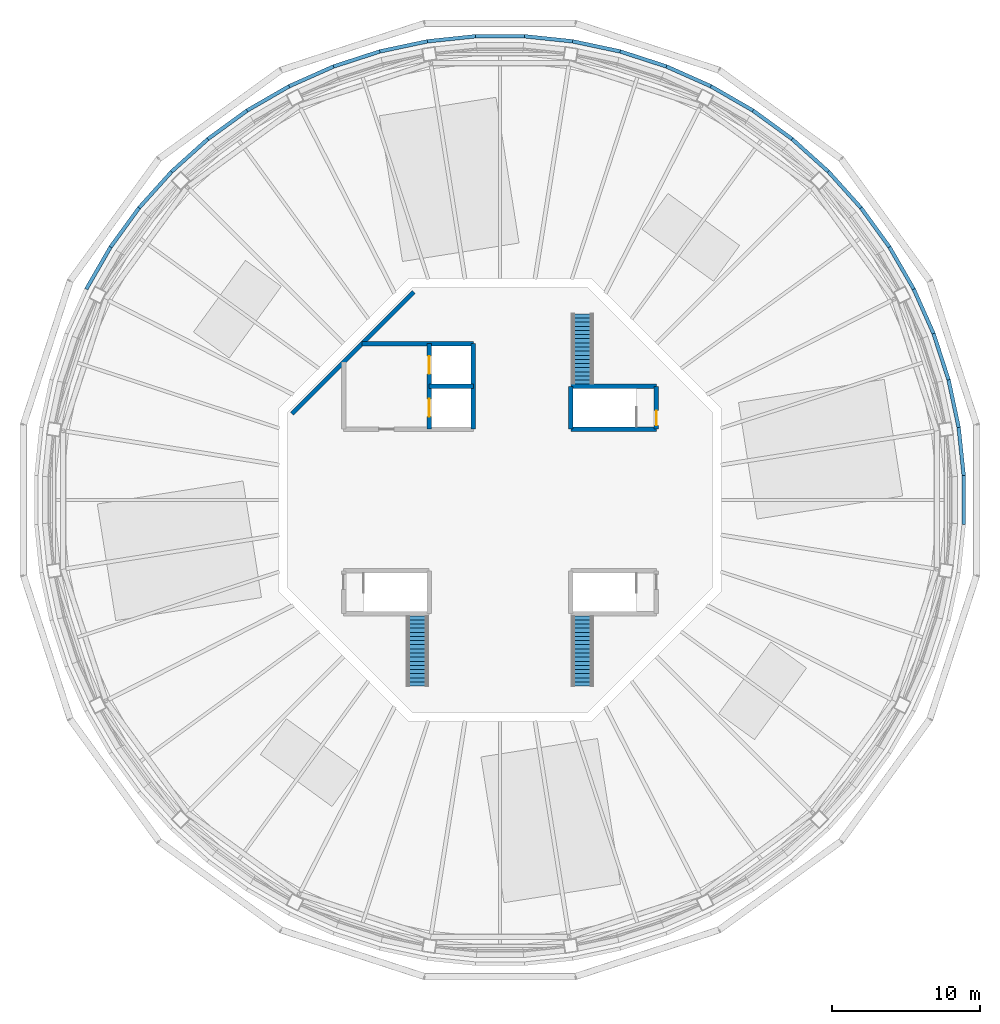
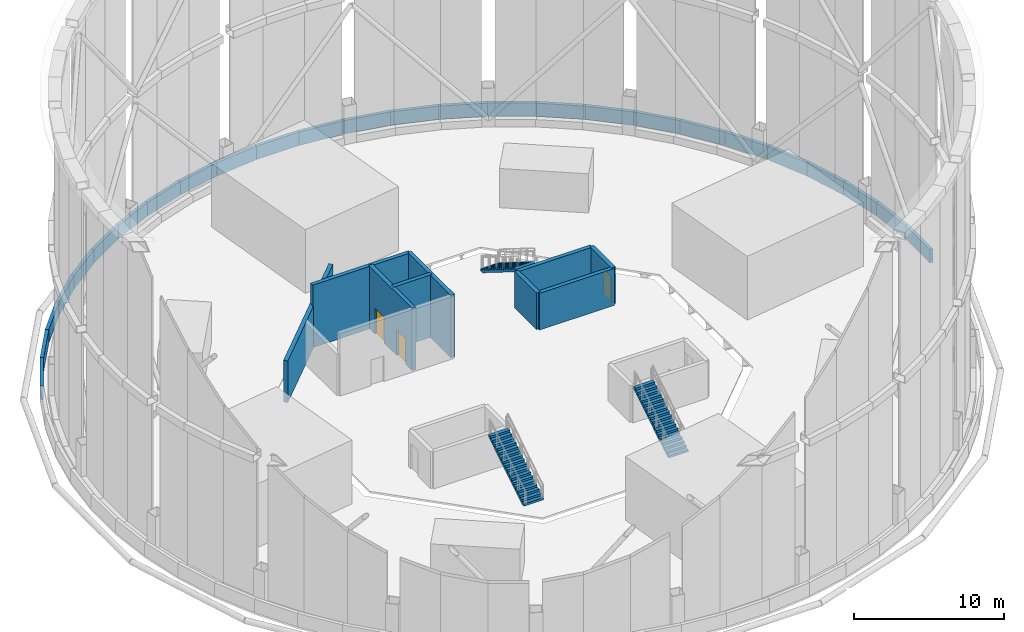
# One storey, part 7 of 11: 35 walls, 3 doors, 3 stair flights, 3 openings, 3 elements without a shape of their own.
"""IFC4 building model written with IfcOpenShell, lengths in metres."""

from ifc_helpers import new_model, si_unit, direction, frame, frame_2d, origin, place, context, subcontext, project, spatial, polyline, rectangle, outline, extrude, material, layer, layer_set, type_object, element, fill, aggregate, save


model = new_model("IFC4")

# Units and contexts
model_context = context("Model", 3, precision=1e-05, world=origin(), true_north=direction((0.0, 1.0)))
body_context = subcontext(model_context, "Body", "Model", "MODEL_VIEW")
ifc_project = project(units=[si_unit("LENGTHUNIT", "METRE"), si_unit("AREAUNIT", "SQUARE_METRE"), si_unit("VOLUMEUNIT", "CUBIC_METRE"), si_unit("PLANEANGLEUNIT", "RADIAN"), si_unit("MASSUNIT", "GRAM", prefix="KILO")], contexts=[model_context])

# Site, building, storey
site_placement = place(None, origin())
site = spatial("IfcSite", under=ifc_project, at=site_placement, CompositionType="ELEMENT")
building_placement = place(site_placement, origin())
building = spatial("IfcBuilding", under=site, at=building_placement, Name="Entoto Ring Tower", CompositionType="ELEMENT")
storey_placement = place(building_placement, frame((0.0, 0.0, 415.0)))
storey = spatial("IfcBuildingStorey", under=building, at=storey_placement, Name="ROOF", CompositionType="ELEMENT", Elevation=415.0)

# Wall
ifc_material_1 = material(Name="Concrete C40/50", Category="concrete")
ifc_layer_1 = layer(ifc_material_1, 0.300048828125)
ifc_layer_set_1 = layer_set([ifc_layer_1], Name="Concrete C40/50")
wall_type_1 = type_object("IfcWallType", Name="Head-house wall 300 mm reinforced concrete", PredefinedType="SOLIDWALL", material=ifc_layer_set_1)
wall_1_placement = place(storey_placement, frame((94.800048828125, 84.800048828125, 0.0), z_axis=(0.0, 0.0, 1.0), x_axis=(1.0, 0.0, 0.0)))
element("IfcWall", 1, at=wall_1_placement, inside=storey, type_object=wall_type_1, Name="wall-ROOF-ST1-1", PredefinedType="SOLIDWALL", context=body_context, shape_type="SweptSolid", body=[
    extrude(rectangle(XDim=5.800048828125, YDim=0.300048828125, at=frame_2d((2.89990234375, 0.0))), origin(), (0.0, 0.0, 1.0), 3.0),
])

# Wall, opening, door
wall_2_placement = place(storey_placement, frame((100.60009765625, 84.800048828125, 0.0), z_axis=(0.0, 0.0, 1.0), x_axis=(0.0, 1.0, 0.0)))
wall_2 = element("IfcWall", 2, at=wall_2_placement, inside=storey, type_object=wall_type_1, Name="wall-ROOF-ST1-2", PredefinedType="SOLIDWALL", context=body_context, shape_type="SweptSolid", body=[
    extrude(rectangle(XDim=2.89990234375, YDim=0.300048828125, at=frame_2d((1.449951171875, 0.0))), origin(), (0.0, 0.0, 1.0), 3.0),
])
opening_1_placement = place(wall_2_placement, frame((0.25, 0.0, 0.0)))
opening_1 = element("IfcOpeningElement", 3, at=opening_1_placement, cuts=wall_2, Name="Opening K-37", PredefinedType="OPENING", context=body_context, shape_type="SweptSolid", body=[
    extrude(rectangle(XDim=1.0, YDim=2.10009765625, at=frame_2d((0.5, 1.050048828125))), frame((0.0, 0.16015625, 0.0), z_axis=(0.0, -1.0, 0.0), x_axis=(1.0, 0.0, 0.0)), (0.0, 0.0, 1.0), 0.320068359375),
])
ifc_material_2 = material(Name="Steel door leaf, fire rated", Category="steel")
ifc_layer_2 = layer(ifc_material_2, 0.050048828125)
ifc_layer_set_2 = layer_set([ifc_layer_2], Name="Steel door leaf, fire rated")
door_type_1 = type_object("IfcDoorType", Name="Roof door FD60 1000 x 2100 single leaf, external", OperationType="NOTDEFINED", PredefinedType="DOOR", material=ifc_layer_set_2)
door_1_placement = place(opening_1_placement, frame((1.0, 0.0, 0.0), z_axis=(0.0, 0.0, 1.0), x_axis=(-1.0, 0.0, 0.0)))
door_1 = element("IfcDoor", 4, at=door_1_placement, inside=storey, type_object=door_type_1, Name="Roof door ST1", OperationType="SINGLE_SWING_LEFT", OverallHeight=2.10009765625, OverallWidth=1.0, PredefinedType="DOOR", context=body_context, shape_type="SweptSolid", body=[
    extrude(rectangle(XDim=1.0, YDim=2.10009765625, at=frame_2d((0.5, 1.050048828125))), frame((0.0, 0.02490234375, 0.0), z_axis=(0.0, -1.0, 0.0), x_axis=(1.0, 0.0, 0.0)), (0.0, 0.0, 1.0), 0.050048828125),
])
fill(opening_1, door_1)

# Walls
wall_3_placement = place(storey_placement, frame((100.60009765625, 87.699951171875, 0.0), z_axis=(0.0, 0.0, 1.0), x_axis=(-1.0, 0.0, 0.0)))
element("IfcWall", 5, at=wall_3_placement, inside=storey, type_object=wall_type_1, Name="wall-ROOF-ST1-3", PredefinedType="SOLIDWALL", context=body_context, shape_type="SweptSolid", body=[
    extrude(rectangle(XDim=5.800048828125, YDim=0.300048828125, at=frame_2d((2.89990234375, 0.0))), origin(), (0.0, 0.0, 1.0), 3.0),
])
wall_4_placement = place(storey_placement, frame((94.800048828125, 87.699951171875, 0.0), z_axis=(0.0, 0.0, 1.0), x_axis=(0.0, -1.0, 0.0)))
element("IfcWall", 6, at=wall_4_placement, inside=storey, type_object=wall_type_1, Name="wall-ROOF-ST1-4", PredefinedType="SOLIDWALL", context=body_context, shape_type="SweptSolid", body=[
    extrude(rectangle(XDim=2.89990234375, YDim=0.300048828125, at=frame_2d((1.449951171875, 0.0))), origin(), (0.0, 0.0, 1.0), 3.0),
])
ifc_material_3 = material(Name="Concrete C40/50", Category="concrete")
ifc_layer_3 = layer(ifc_material_3, 0.300048828125)
ifc_layer_set_3 = layer_set([ifc_layer_3], Name="Concrete C40/50")
wall_type_2 = type_object("IfcWallType", Name="Lift lobby head-house wall 300 mm reinforced concrete", PredefinedType="SOLIDWALL", material=ifc_layer_set_3)
wall_5_placement = place(storey_placement, frame((75.89990234375, 85.84033203125, 0.0), z_axis=(0.0, 0.0, 1.0), x_axis=(0.707106781187, 0.707106781187, 0.0)))
element("IfcWall", 7, at=wall_5_placement, inside=storey, type_object=wall_type_2, Name="wall-ROOF-RL-04", PredefinedType="SOLIDWALL", context=body_context, shape_type="SweptSolid", body=[
    extrude(rectangle(XDim=11.68115234375, YDim=0.300048828125, at=frame_2d((5.840576171875, 0.0))), origin(), (0.0, 0.0, 1.0), 3.39990234375),
])
ifc_material_4 = material(Name="Concrete C40/50", Category="concrete")
ifc_layer_4 = layer(ifc_material_4, 0.300048828125)
ifc_layer_set_4 = layer_set([ifc_layer_4], Name="Concrete C40/50")
wall_type_3 = type_object("IfcWallType", Name="Lift shaft head-house wall 300 mm reinforced concrete", PredefinedType="SOLIDWALL", material=ifc_layer_set_4)
wall_6_placement = place(storey_placement, frame((88.199951171875, 84.800048828125, 0.0), z_axis=(0.0, 0.0, 1.0), x_axis=(0.0, 1.0, 0.0)))
element("IfcWall", 8, at=wall_6_placement, inside=storey, type_object=wall_type_3, Name="wall-ROOF-RL-01", PredefinedType="SOLIDWALL", context=body_context, shape_type="SweptSolid", body=[
    extrude(rectangle(XDim=5.800048828125, YDim=0.300048828125, at=frame_2d((2.89990234375, 0.0))), origin(), (0.0, 0.0, 1.0), 5.10009765625),
])

# Wall, openings, doors
wall_7_placement = place(storey_placement, frame((85.199951171875, 84.800048828125, 0.0), z_axis=(0.0, 0.0, 1.0), x_axis=(0.0, 1.0, 0.0)))
wall_7 = element("IfcWall", 9, at=wall_7_placement, inside=storey, type_object=wall_type_3, Name="wall-ROOF-RL-02", PredefinedType="SOLIDWALL", context=body_context, shape_type="SweptSolid", body=[
    extrude(rectangle(XDim=5.800048828125, YDim=0.300048828125, at=frame_2d((2.89990234375, 0.0))), origin(), (0.0, 0.0, 1.0), 5.10009765625),
])
opening_2_placement = place(wall_7_placement, frame((0.85009765625, 0.0, 0.0)))
opening_2 = element("IfcOpeningElement", 10, at=opening_2_placement, cuts=wall_7, Name="Opening LD", PredefinedType="OPENING", context=body_context, shape_type="SweptSolid", body=[
    extrude(rectangle(XDim=1.199951171875, YDim=2.10009765625, at=frame_2d((0.60009765625, 1.050048828125))), frame((0.0, 0.16015625, 0.0), z_axis=(0.0, -1.0, 0.0), x_axis=(1.0, 0.0, 0.0)), (0.0, 0.0, 1.0), 0.320068359375),
])
opening_3_placement = place(wall_7_placement, frame((3.75, 0.0, 0.0)))
opening_3 = element("IfcOpeningElement", 11, at=opening_3_placement, cuts=wall_7, Name="Opening LD", PredefinedType="OPENING", context=body_context, shape_type="SweptSolid", body=[
    extrude(rectangle(XDim=1.199951171875, YDim=2.10009765625, at=frame_2d((0.60009765625, 1.050048828125))), frame((0.0, 0.16015625, 0.0), z_axis=(0.0, -1.0, 0.0), x_axis=(1.0, 0.0, 0.0)), (0.0, 0.0, 1.0), 0.320068359375),
])
ifc_material_5 = material(Name="Steel and glass door leaf", Category="steel")
ifc_layer_5 = layer(ifc_material_5, 0.050048828125)
ifc_layer_set_5 = layer_set([ifc_layer_5], Name="Steel and glass door leaf")
door_type_2 = type_object("IfcDoorType", Name="Landing door 1200 x 2100 sliding", OperationType="DOUBLE_DOOR_SLIDING", PredefinedType="DOOR", material=ifc_layer_set_5)
door_2_placement = place(opening_2_placement, origin())
door_2 = element("IfcDoor", 12, at=door_2_placement, inside=storey, type_object=door_type_2, Name="Landing door FF1", OperationType="SLIDING_TO_RIGHT", OverallHeight=2.10009765625, OverallWidth=1.199951171875, PredefinedType="DOOR", context=body_context, shape_type="SweptSolid", body=[
    extrude(rectangle(XDim=1.199951171875, YDim=2.10009765625, at=frame_2d((0.60009765625, 1.050048828125))), frame((0.0, 0.02490234375, 0.0), z_axis=(0.0, -1.0, 0.0), x_axis=(1.0, 0.0, 0.0)), (0.0, 0.0, 1.0), 0.050048828125),
])
fill(opening_2, door_2)
door_3_placement = place(opening_3_placement, origin())
door_3 = element("IfcDoor", 13, at=door_3_placement, inside=storey, type_object=door_type_2, Name="Landing door FF2", OperationType="SLIDING_TO_RIGHT", OverallHeight=2.10009765625, OverallWidth=1.199951171875, PredefinedType="DOOR", context=body_context, shape_type="SweptSolid", body=[
    extrude(rectangle(XDim=1.199951171875, YDim=2.10009765625, at=frame_2d((0.60009765625, 1.050048828125))), frame((0.0, 0.02490234375, 0.0), z_axis=(0.0, -1.0, 0.0), x_axis=(1.0, 0.0, 0.0)), (0.0, 0.0, 1.0), 0.050048828125),
])
fill(opening_3, door_3)

# Walls
wall_8_placement = place(storey_placement, frame((85.199951171875, 87.699951171875, 0.0), z_axis=(0.0, 0.0, 1.0), x_axis=(1.0, 0.0, 0.0)))
element("IfcWall", 14, at=wall_8_placement, inside=storey, type_object=wall_type_3, Name="wall-ROOF-RL-06", PredefinedType="SOLIDWALL", context=body_context, shape_type="SweptSolid", body=[
    extrude(rectangle(XDim=3.0, YDim=0.300048828125, at=frame_2d((1.5, 0.0))), origin(), (0.0, 0.0, 1.0), 5.10009765625),
])
wall_9_placement = place(storey_placement, frame((80.65966796875, 90.60009765625, 0.0), z_axis=(0.0, 0.0, 1.0), x_axis=(1.0, 0.0, 0.0)))
element("IfcWall", 15, at=wall_9_placement, inside=storey, type_object=wall_type_3, Name="wall-ROOF-RL-07", PredefinedType="SOLIDWALL", context=body_context, shape_type="SweptSolid", body=[
    extrude(rectangle(XDim=7.540283203125, YDim=0.300048828125, at=frame_2d((3.77001953125, 0.0))), origin(), (0.0, 0.0, 1.0), 5.10009765625),
])
ifc_material_6 = material(Name="Concrete C40/50", Category="concrete")
ifc_layer_6 = layer(ifc_material_6, 0.25)
ifc_layer_set_6 = layer_set([ifc_layer_6], Name="Concrete C40/50")
wall_type_4 = type_object("IfcWallType", Name="Roof parapet 250 mm", PredefinedType="PARAPET", material=ifc_layer_set_6)
for number, where, z_axis, x_axis, name in (
    (16, (121.08740234375, 84.923828125, 0.0), (0.0, 0.0, 1.0), (-0.207944727758, 0.978140577932, 0.0), "PARAPET 00"),
    (17, (120.40234375, 88.146240234375, 0.0), (0.0, 0.0, 1.0), (-0.309015695272, 0.951056938398, 0.0), "PARAPET 01"),
):
    element("IfcWall", number, at=place(storey_placement, frame(where, z_axis=z_axis, x_axis=x_axis)), inside=storey, type_object=wall_type_4, Name=name, PredefinedType="PARAPET", context=body_context, shape_type="SweptSolid", body=[
        extrude(outline(polyline([(-0.006591796875, -0.125), (3.301025390625, -0.125), (3.287841796875, 0.125), (0.006591796875, 0.125), (-0.006591796875, -0.125)])), origin(), (0.0, 0.0, 1.0), 1.10009765625),
    ])
wall_10_placement = place(storey_placement, frame((119.38427734375, 91.279541015625, 0.0), z_axis=(0.0, 0.0, 1.0), x_axis=(-0.406750296095, 0.913539378805, 0.0)))
element("IfcWall", 18, at=wall_10_placement, inside=storey, type_object=wall_type_4, Name="PARAPET 02", PredefinedType="PARAPET", context=body_context, shape_type="SweptSolid", body=[
    extrude(outline(polyline([(-0.006591796875, -0.125), (3.30126953125, -0.125), (3.2880859375, 0.125), (0.006591796875, 0.125), (-0.006591796875, -0.125)])), origin(), (0.0, 0.0, 1.0), 1.10009765625),
])
wall_11_placement = place(storey_placement, frame((118.044189453125, 94.289306640625, 0.0), z_axis=(0.0, 0.0, 1.0), x_axis=(-0.5000047107, 0.866022684043, 0.0)))
element("IfcWall", 19, at=wall_11_placement, inside=storey, type_object=wall_type_4, Name="PARAPET 03", PredefinedType="PARAPET", context=body_context, shape_type="SweptSolid", body=[
    extrude(outline(polyline([(-0.006591796875, -0.125), (3.301025390625, -0.125), (3.287841796875, 0.125), (0.006591796875, 0.125), (-0.006591796875, -0.125)])), origin(), (0.0, 0.0, 1.0), 1.10009765625),
])
wall_12_placement = place(storey_placement, frame((116.39697265625, 97.142333984375, 0.0), z_axis=(0.0, 0.0, 1.0), x_axis=(-0.58776627327, 0.809030783102, 0.0)))
element("IfcWall", 20, at=wall_12_placement, inside=storey, type_object=wall_type_4, Name="PARAPET 04", PredefinedType="PARAPET", context=body_context, shape_type="SweptSolid", body=[
    extrude(outline(polyline([(-0.006591796875, -0.125), (3.30126953125, -0.125), (3.2880859375, 0.125), (0.006591796875, 0.125), (-0.006591796875, -0.125)])), origin(), (0.0, 0.0, 1.0), 1.10009765625),
])
for number, where, z_axis, x_axis, name in (
    (21, (114.46044921875, 99.807861328125, 0.0), (0.0, 0.0, 1.0), (-0.669120302631, 0.743154102866, 0.0), "PARAPET 05"),
    (22, (112.256103515625, 102.256103515625, 0.0), (0.0, 0.0, 1.0), (-0.743154102866, 0.669120302631, 0.0), "PARAPET 06"),
):
    element("IfcWall", number, at=place(storey_placement, frame(where, z_axis=z_axis, x_axis=x_axis)), inside=storey, type_object=wall_type_4, Name=name, PredefinedType="PARAPET", context=body_context, shape_type="SweptSolid", body=[
        extrude(outline(polyline([(-0.006591796875, -0.125), (3.301025390625, -0.125), (3.287841796875, 0.125), (0.006591796875, 0.125), (-0.006591796875, -0.125)])), origin(), (0.0, 0.0, 1.0), 1.10009765625),
    ])
wall_13_placement = place(storey_placement, frame((109.807861328125, 104.46044921875, 0.0), z_axis=(0.0, 0.0, 1.0), x_axis=(-0.809030783102, 0.58776627327, 0.0)))
element("IfcWall", 23, at=wall_13_placement, inside=storey, type_object=wall_type_4, Name="PARAPET 07", PredefinedType="PARAPET", context=body_context, shape_type="SweptSolid", body=[
    extrude(outline(polyline([(-0.006591796875, -0.125), (3.30126953125, -0.125), (3.2880859375, 0.125), (0.006591796875, 0.125), (-0.006591796875, -0.125)])), origin(), (0.0, 0.0, 1.0), 1.10009765625),
])
wall_14_placement = place(storey_placement, frame((107.142333984375, 106.39697265625, 0.0), z_axis=(0.0, 0.0, 1.0), x_axis=(-0.866022684043, 0.5000047107, 0.0)))
element("IfcWall", 24, at=wall_14_placement, inside=storey, type_object=wall_type_4, Name="PARAPET 08", PredefinedType="PARAPET", context=body_context, shape_type="SweptSolid", body=[
    extrude(outline(polyline([(-0.006591796875, -0.125), (3.301025390625, -0.125), (3.287841796875, 0.125), (0.006591796875, 0.125), (-0.006591796875, -0.125)])), origin(), (0.0, 0.0, 1.0), 1.10009765625),
])
wall_15_placement = place(storey_placement, frame((104.289306640625, 108.044189453125, 0.0), z_axis=(0.0, 0.0, 1.0), x_axis=(-0.913539378805, 0.406750296095, 0.0)))
element("IfcWall", 25, at=wall_15_placement, inside=storey, type_object=wall_type_4, Name="PARAPET 09", PredefinedType="PARAPET", context=body_context, shape_type="SweptSolid", body=[
    extrude(outline(polyline([(-0.006591796875, -0.125), (3.30126953125, -0.125), (3.2880859375, 0.125), (0.006591796875, 0.125), (-0.006591796875, -0.125)])), origin(), (0.0, 0.0, 1.0), 1.10009765625),
])
for number, where, z_axis, x_axis, name in (
    (26, (101.279541015625, 109.38427734375, 0.0), (0.0, 0.0, 1.0), (-0.951056938398, 0.309015695272, 0.0), "PARAPET 10"),
    (27, (98.146240234375, 110.40234375, 0.0), (0.0, 0.0, 1.0), (-0.978140577932, 0.207944727758, 0.0), "PARAPET 11"),
):
    element("IfcWall", number, at=place(storey_placement, frame(where, z_axis=z_axis, x_axis=x_axis)), inside=storey, type_object=wall_type_4, Name=name, PredefinedType="PARAPET", context=body_context, shape_type="SweptSolid", body=[
        extrude(outline(polyline([(-0.006591796875, -0.125), (3.301025390625, -0.125), (3.287841796875, 0.125), (0.006591796875, 0.125), (-0.006591796875, -0.125)])), origin(), (0.0, 0.0, 1.0), 1.10009765625),
    ])
wall_16_placement = place(storey_placement, frame((94.923828125, 111.08740234375, 0.0), z_axis=(0.0, 0.0, 1.0), x_axis=(-0.994526546764, 0.104484198714, 0.0)))
element("IfcWall", 28, at=wall_16_placement, inside=storey, type_object=wall_type_4, Name="PARAPET 12", PredefinedType="PARAPET", context=body_context, shape_type="SweptSolid", body=[
    extrude(outline(polyline([(-0.006591796875, -0.125), (3.30126953125, -0.125), (3.2880859375, 0.125), (0.006591796875, 0.125), (-0.006591796875, -0.125)])), origin(), (0.0, 0.0, 1.0), 1.10009765625),
])
wall_17_placement = place(storey_placement, frame((91.647216796875, 111.431640625, 0.0), z_axis=(0.0, 0.0, 1.0), x_axis=(-1.0, 0.0, 0.0)))
element("IfcWall", 29, at=wall_17_placement, inside=storey, type_object=wall_type_4, Name="PARAPET 13", PredefinedType="PARAPET", context=body_context, shape_type="SweptSolid", body=[
    extrude(outline(polyline([(-0.006591796875, -0.125), (3.301025390625, -0.125), (3.287841796875, 0.125), (0.006591796875, 0.125), (-0.006591796875, -0.125)])), origin(), (0.0, 0.0, 1.0), 1.10009765625),
])
wall_18_placement = place(storey_placement, frame((88.352783203125, 111.431640625, 0.0), z_axis=(0.0, 0.0, 1.0), x_axis=(-0.994526546764, -0.104484198714, 0.0)))
element("IfcWall", 30, at=wall_18_placement, inside=storey, type_object=wall_type_4, Name="PARAPET 14", PredefinedType="PARAPET", context=body_context, shape_type="SweptSolid", body=[
    extrude(outline(polyline([(-0.006591796875, -0.125), (3.30126953125, -0.125), (3.2880859375, 0.125), (0.006591796875, 0.125), (-0.006591796875, -0.125)])), origin(), (0.0, 0.0, 1.0), 1.10009765625),
])
for number, where, z_axis, x_axis, name in (
    (31, (85.076171875, 111.08740234375, 0.0), (0.0, 0.0, 1.0), (-0.978140577932, -0.207944727758, 0.0), "PARAPET 15"),
    (32, (81.853759765625, 110.40234375, 0.0), (0.0, 0.0, 1.0), (-0.951056938398, -0.309015695272, 0.0), "PARAPET 16"),
):
    element("IfcWall", number, at=place(storey_placement, frame(where, z_axis=z_axis, x_axis=x_axis)), inside=storey, type_object=wall_type_4, Name=name, PredefinedType="PARAPET", context=body_context, shape_type="SweptSolid", body=[
        extrude(outline(polyline([(-0.006591796875, -0.125), (3.301025390625, -0.125), (3.287841796875, 0.125), (0.006591796875, 0.125), (-0.006591796875, -0.125)])), origin(), (0.0, 0.0, 1.0), 1.10009765625),
    ])
wall_19_placement = place(storey_placement, frame((78.720458984375, 109.38427734375, 0.0), z_axis=(0.0, 0.0, 1.0), x_axis=(-0.913539378805, -0.406750296095, 0.0)))
element("IfcWall", 33, at=wall_19_placement, inside=storey, type_object=wall_type_4, Name="PARAPET 17", PredefinedType="PARAPET", context=body_context, shape_type="SweptSolid", body=[
    extrude(outline(polyline([(-0.006591796875, -0.125), (3.30126953125, -0.125), (3.2880859375, 0.125), (0.006591796875, 0.125), (-0.006591796875, -0.125)])), origin(), (0.0, 0.0, 1.0), 1.10009765625),
])
wall_20_placement = place(storey_placement, frame((75.710693359375, 108.044189453125, 0.0), z_axis=(0.0, 0.0, 1.0), x_axis=(-0.866022684043, -0.5000047107, 0.0)))
element("IfcWall", 34, at=wall_20_placement, inside=storey, type_object=wall_type_4, Name="PARAPET 18", PredefinedType="PARAPET", context=body_context, shape_type="SweptSolid", body=[
    extrude(outline(polyline([(-0.006591796875, -0.125), (3.301025390625, -0.125), (3.287841796875, 0.125), (0.006591796875, 0.125), (-0.006591796875, -0.125)])), origin(), (0.0, 0.0, 1.0), 1.10009765625),
])
wall_21_placement = place(storey_placement, frame((72.857666015625, 106.39697265625, 0.0), z_axis=(0.0, 0.0, 1.0), x_axis=(-0.809030783102, -0.58776627327, 0.0)))
element("IfcWall", 35, at=wall_21_placement, inside=storey, type_object=wall_type_4, Name="PARAPET 19", PredefinedType="PARAPET", context=body_context, shape_type="SweptSolid", body=[
    extrude(outline(polyline([(-0.006591796875, -0.125), (3.30126953125, -0.125), (3.2880859375, 0.125), (0.006591796875, 0.125), (-0.006591796875, -0.125)])), origin(), (0.0, 0.0, 1.0), 1.10009765625),
])
for number, where, z_axis, x_axis, name in (
    (36, (70.192138671875, 104.46044921875, 0.0), (0.0, 0.0, 1.0), (-0.743154102866, -0.669120302631, 0.0), "PARAPET 20"),
    (37, (67.743896484375, 102.256103515625, 0.0), (0.0, 0.0, 1.0), (-0.669120302631, -0.743154102866, 0.0), "PARAPET 21"),
):
    element("IfcWall", number, at=place(storey_placement, frame(where, z_axis=z_axis, x_axis=x_axis)), inside=storey, type_object=wall_type_4, Name=name, PredefinedType="PARAPET", context=body_context, shape_type="SweptSolid", body=[
        extrude(outline(polyline([(-0.006591796875, -0.125), (3.301025390625, -0.125), (3.287841796875, 0.125), (0.006591796875, 0.125), (-0.006591796875, -0.125)])), origin(), (0.0, 0.0, 1.0), 1.10009765625),
    ])
wall_22_placement = place(storey_placement, frame((65.53955078125, 99.807861328125, 0.0), z_axis=(0.0, 0.0, 1.0), x_axis=(-0.58776627327, -0.809030783102, 0.0)))
element("IfcWall", 38, at=wall_22_placement, inside=storey, type_object=wall_type_4, Name="PARAPET 22", PredefinedType="PARAPET", context=body_context, shape_type="SweptSolid", body=[
    extrude(outline(polyline([(-0.006591796875, -0.125), (3.30126953125, -0.125), (3.2880859375, 0.125), (0.006591796875, 0.125), (-0.006591796875, -0.125)])), origin(), (0.0, 0.0, 1.0), 1.10009765625),
])
for number, where, z_axis, x_axis, name in (
    (39, (63.60302734375, 97.142333984375, 0.0), (0.0, 0.0, 1.0), (-0.5000047107, -0.866022684043, 0.0), "PARAPET 23"),
    (40, (121.431640625, 78.352783203125, 0.0), (0.0, 0.0, 1.0), (0.0, 1.0, 0.0), "PARAPET 58"),
):
    element("IfcWall", number, at=place(storey_placement, frame(where, z_axis=z_axis, x_axis=x_axis)), inside=storey, type_object=wall_type_4, Name=name, PredefinedType="PARAPET", context=body_context, shape_type="SweptSolid", body=[
        extrude(outline(polyline([(-0.006591796875, -0.125), (3.301025390625, -0.125), (3.287841796875, 0.125), (0.006591796875, 0.125), (-0.006591796875, -0.125)])), origin(), (0.0, 0.0, 1.0), 1.10009765625),
    ])
wall_23_placement = place(storey_placement, frame((121.431640625, 81.647216796875, 0.0), z_axis=(0.0, 0.0, 1.0), x_axis=(-0.104484198714, 0.994526546764, 0.0)))
element("IfcWall", 41, at=wall_23_placement, inside=storey, type_object=wall_type_4, Name="PARAPET 59", PredefinedType="PARAPET", context=body_context, shape_type="SweptSolid", body=[
    extrude(outline(polyline([(-0.006591796875, -0.125), (3.30126953125, -0.125), (3.2880859375, 0.125), (0.006591796875, 0.125), (-0.006591796875, -0.125)])), origin(), (0.0, 0.0, 1.0), 1.10009765625),
])

# Stair, stair flight
ifc_material_7 = material(Name="Concrete C40/50", Category="concrete")
stair_type = type_object("IfcStairType", Name="Roof access stair 1500 mm reinforced concrete", PredefinedType="STRAIGHT_RUN_STAIR", material=ifc_material_7)
stair_1_placement = place(storey_placement, origin())
stair_1 = element("IfcStair", 42, at=stair_1_placement, inside=storey, type_object=stair_type, Name="Roof access stair 1", PredefinedType="STRAIGHT_RUN_STAIR")
ifc_material_8 = material(Name="Concrete C40/50", Category="concrete")
stair_flight_type = type_object("IfcStairFlightType", Name="Roof stair flight 1500 mm reinforced concrete", PredefinedType="STRAIGHT", material=ifc_material_8)
stair_flight_1_placement = place(storey_placement, frame((95.60009765625, 92.610107421875, 0.0), z_axis=(0.0, 0.0, 1.0), x_axis=(0.0, -1.0, 0.0)))
stair_flight_1 = element("IfcStairFlight", 43, at=stair_flight_1_placement, type_object=stair_flight_type, Name="RS1 flight 1", NumberOfRisers=18, NumberOfTreads=17, PredefinedType="STRAIGHT", RiserHeight=0.175, TreadLength=0.28, context=body_context, shape_type="SweptSolid", body=[
    extrude(outline(polyline([(0.0, 0.0), (0.0, 0.175048828125), (0.280029296875, 0.175048828125), (0.280029296875, 0.35009765625), (0.56005859375, 0.35009765625), (0.56005859375, 0.52490234375), (0.840087890625, 0.52490234375), (0.840087890625, 0.699951171875), (1.1201171875, 0.699951171875), (1.1201171875, 0.875), (1.39990234375, 0.875), (1.39990234375, 1.050048828125), (1.679931640625, 1.050048828125), (1.679931640625, 1.22509765625), (1.9599609375, 1.22509765625), (1.9599609375, 1.39990234375), (2.239990234375, 1.39990234375), (2.239990234375, 1.574951171875), (2.52001953125, 1.574951171875), (2.52001953125, 1.75), (2.800048828125, 1.75), (2.800048828125, 1.925048828125), (3.080078125, 1.925048828125), (3.080078125, 2.10009765625), (3.360107421875, 2.10009765625), (3.360107421875, 2.27490234375), (3.639892578125, 2.27490234375), (3.639892578125, 2.449951171875), (3.919921875, 2.449951171875), (3.919921875, 2.625), (4.199951171875, 2.625), (4.199951171875, 2.800048828125), (4.47998046875, 2.800048828125), (4.47998046875, 2.97509765625), (4.760009765625, 2.97509765625), (4.760009765625, 3.14990234375), (4.760009765625, 2.79833984375), (0.28271484375, 0.0), (0.0, 0.0)])), frame((0.0, 0.75, 0.0), z_axis=(0.0, -1.0, 0.0), x_axis=(1.0, 0.0, 0.0)), (0.0, 0.0, 1.0), 1.5),
])
aggregate(stair_1, [stair_flight_1])

stair_2_placement = place(storey_placement, origin())
stair_2 = element("IfcStair", 44, at=stair_2_placement, inside=storey, type_object=stair_type, Name="Roof access stair 2", PredefinedType="STRAIGHT_RUN_STAIR")
stair_flight_2_placement = place(storey_placement, frame((84.39990234375, 67.389892578125, 0.0), z_axis=(0.0, 0.0, 1.0), x_axis=(0.0, 1.0, 0.0)))
stair_flight_2 = element("IfcStairFlight", 45, at=stair_flight_2_placement, type_object=stair_flight_type, Name="RS2 flight 1", NumberOfRisers=18, NumberOfTreads=17, PredefinedType="STRAIGHT", RiserHeight=0.175, TreadLength=0.28, context=body_context, shape_type="SweptSolid", body=[
    extrude(outline(polyline([(0.0, 0.0), (0.0, 0.175048828125), (0.280029296875, 0.175048828125), (0.280029296875, 0.35009765625), (0.56005859375, 0.35009765625), (0.56005859375, 0.52490234375), (0.840087890625, 0.52490234375), (0.840087890625, 0.699951171875), (1.1201171875, 0.699951171875), (1.1201171875, 0.875), (1.39990234375, 0.875), (1.39990234375, 1.050048828125), (1.679931640625, 1.050048828125), (1.679931640625, 1.22509765625), (1.9599609375, 1.22509765625), (1.9599609375, 1.39990234375), (2.239990234375, 1.39990234375), (2.239990234375, 1.574951171875), (2.52001953125, 1.574951171875), (2.52001953125, 1.75), (2.800048828125, 1.75), (2.800048828125, 1.925048828125), (3.080078125, 1.925048828125), (3.080078125, 2.10009765625), (3.360107421875, 2.10009765625), (3.360107421875, 2.27490234375), (3.639892578125, 2.27490234375), (3.639892578125, 2.449951171875), (3.919921875, 2.449951171875), (3.919921875, 2.625), (4.199951171875, 2.625), (4.199951171875, 2.800048828125), (4.47998046875, 2.800048828125), (4.47998046875, 2.97509765625), (4.760009765625, 2.97509765625), (4.760009765625, 3.14990234375), (4.760009765625, 2.79833984375), (0.28271484375, 0.0), (0.0, 0.0)])), frame((0.0, 0.75, 0.0), z_axis=(0.0, -1.0, 0.0), x_axis=(1.0, 0.0, 0.0)), (0.0, 0.0, 1.0), 1.5),
])
aggregate(stair_2, [stair_flight_2])

stair_3_placement = place(storey_placement, origin())
stair_3 = element("IfcStair", 46, at=stair_3_placement, inside=storey, type_object=stair_type, Name="Roof access stair 3", PredefinedType="STRAIGHT_RUN_STAIR")
stair_flight_3_placement = place(storey_placement, frame((95.60009765625, 67.389892578125, 0.0), z_axis=(0.0, 0.0, 1.0), x_axis=(0.0, 1.0, 0.0)))
stair_flight_3 = element("IfcStairFlight", 47, at=stair_flight_3_placement, type_object=stair_flight_type, Name="RS3 flight 1", NumberOfRisers=18, NumberOfTreads=17, PredefinedType="STRAIGHT", RiserHeight=0.175, TreadLength=0.28, context=body_context, shape_type="SweptSolid", body=[
    extrude(outline(polyline([(0.0, 0.0), (0.0, 0.175048828125), (0.280029296875, 0.175048828125), (0.280029296875, 0.35009765625), (0.56005859375, 0.35009765625), (0.56005859375, 0.52490234375), (0.840087890625, 0.52490234375), (0.840087890625, 0.699951171875), (1.1201171875, 0.699951171875), (1.1201171875, 0.875), (1.39990234375, 0.875), (1.39990234375, 1.050048828125), (1.679931640625, 1.050048828125), (1.679931640625, 1.22509765625), (1.9599609375, 1.22509765625), (1.9599609375, 1.39990234375), (2.239990234375, 1.39990234375), (2.239990234375, 1.574951171875), (2.52001953125, 1.574951171875), (2.52001953125, 1.75), (2.800048828125, 1.75), (2.800048828125, 1.925048828125), (3.080078125, 1.925048828125), (3.080078125, 2.10009765625), (3.360107421875, 2.10009765625), (3.360107421875, 2.27490234375), (3.639892578125, 2.27490234375), (3.639892578125, 2.449951171875), (3.919921875, 2.449951171875), (3.919921875, 2.625), (4.199951171875, 2.625), (4.199951171875, 2.800048828125), (4.47998046875, 2.800048828125), (4.47998046875, 2.97509765625), (4.760009765625, 2.97509765625), (4.760009765625, 3.14990234375), (4.760009765625, 2.79833984375), (0.28271484375, 0.0), (0.0, 0.0)])), frame((0.0, 0.75, 0.0), z_axis=(0.0, -1.0, 0.0), x_axis=(1.0, 0.0, 0.0)), (0.0, 0.0, 1.0), 1.5),
])
aggregate(stair_3, [stair_flight_3])

save(model, "model.ifc")
